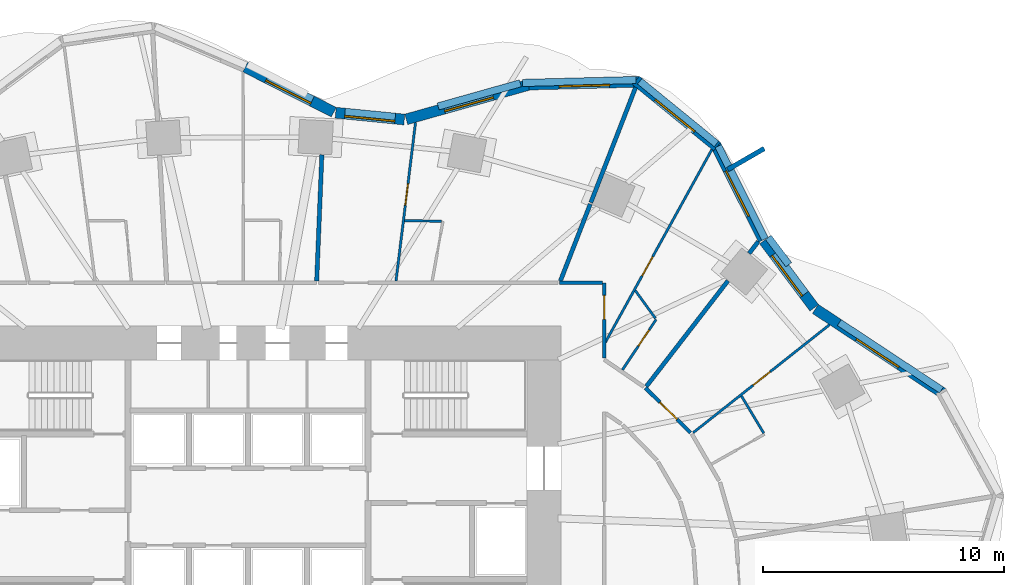
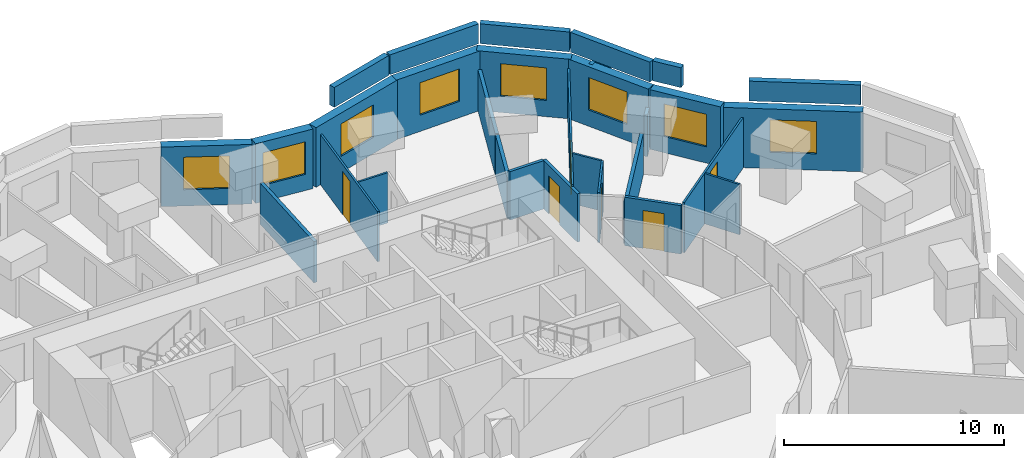
# One storey, part 10 of 12: 30 walls, 8 windows, 6 doors, 14 openings.
"""IFC4 building model written with IfcOpenShell, lengths in metres."""

from ifc_helpers import new_model, si_unit, direction, frame, frame_2d, origin, place, context, subcontext, project, spatial, rectangle, extrude, material, layer, layer_set, type_object, element, fill, save


model = new_model("IFC4")

# Units and contexts
model_context = context("Model", 3, precision=1e-05, world=origin(), true_north=direction((0.0, 1.0)))
body_context = subcontext(model_context, "Body", "Model", "MODEL_VIEW")
ifc_project = project(units=[si_unit("LENGTHUNIT", "METRE"), si_unit("AREAUNIT", "SQUARE_METRE"), si_unit("VOLUMEUNIT", "CUBIC_METRE"), si_unit("PLANEANGLEUNIT", "RADIAN"), si_unit("MASSUNIT", "GRAM", prefix="KILO")], contexts=[model_context])

# Site, building, storey
site_placement = place(None, origin())
site = spatial("IfcSite", under=ifc_project, at=site_placement, CompositionType="ELEMENT")
building_placement = place(site_placement, origin())
building = spatial("IfcBuilding", under=site, at=building_placement, Name="Rubra Terraces Tower", CompositionType="ELEMENT")
storey_placement = place(building_placement, frame((0.0, 0.0, 73.5)))
storey = spatial("IfcBuildingStorey", under=building, at=storey_placement, Name="L16", CompositionType="ELEMENT", Elevation=73.5)

# Walls
ifc_material_1 = material(Name="Twin plasterboard on staggered steel stud, acoustic mineral wool", Category="steel")
ifc_layer_1 = layer(ifc_material_1, 0.175048828125)
ifc_layer_set_1 = layer_set([ifc_layer_1], Name="Twin plasterboard on staggered steel stud, acoustic mineral wool")
wall_type_1 = type_object("IfcWallType", Name="ACOUSTIC PARTY WALL 175 LOW HEAD", PredefinedType="PARTITIONING", material=ifc_layer_set_1)
wall_1_placement = place(storey_placement, frame((3.068603515625, 19.1201171875, 0.0), z_axis=(0.0, 0.0, 1.0), x_axis=(-0.040926396591, -0.999162164046, 0.0)))
element("IfcWall", 1, at=wall_1_placement, inside=storey, type_object=wall_type_1, Name="PARTITION", PredefinedType="PARTITIONING", context=body_context, shape_type="SweptSolid", body=[
    extrude(rectangle(XDim=5.24951171875, YDim=0.175048828125, at=frame_2d((2.624755859375, 0.0))), origin(), (0.0, 0.0, 1.0), 2.280029296875),
])
wall_2_placement = place(storey_placement, frame((21.196533203125, 15.51513671875, 0.0), z_axis=(0.0, 0.0, 1.0), x_axis=(-0.61138040292, -0.791336845424, 0.0)))
element("IfcWall", 2, at=wall_2_placement, inside=storey, type_object=wall_type_1, Name="PARTITION", PredefinedType="PARTITIONING", context=body_context, shape_type="SweptSolid", body=[
    extrude(rectangle(XDim=0.621337890625, YDim=0.175048828125, at=frame_2d((0.310546875, 0.0))), origin(), (0.0, 0.0, 1.0), 2.280029296875),
])
wall_3_placement = place(storey_placement, frame((19.935546875, 13.883056640625, 0.0), z_axis=(0.0, 0.0, 1.0), x_axis=(-0.611383527359, -0.791334431498, 0.0)))
element("IfcWall", 3, at=wall_3_placement, inside=storey, type_object=wall_type_1, Name="PARTITION", PredefinedType="PARTITIONING", context=body_context, shape_type="SweptSolid", body=[
    extrude(rectangle(XDim=5.53955078125, YDim=0.175048828125, at=frame_2d((2.769775390625, 0.0))), origin(), (0.0, 0.0, 1.0), 2.280029296875),
])
wall_4_placement = place(storey_placement, frame((16.102294921875, 21.919921875, 0.0), z_axis=(0.0, 0.0, 1.0), x_axis=(-0.362264987131, -0.932075146702, 0.0)))
element("IfcWall", 4, at=wall_4_placement, inside=storey, type_object=wall_type_1, Name="PARTITION", PredefinedType="PARTITIONING", context=body_context, shape_type="SweptSolid", body=[
    extrude(rectangle(XDim=5.134765625, YDim=0.175048828125, at=frame_2d((2.5673828125, 0.0))), origin(), (0.0, 0.0, 1.0), 2.280029296875),
])
wall_5_placement = place(storey_placement, frame((14.218017578125, 17.071533203125, 0.0), z_axis=(0.0, 0.0, 1.0), x_axis=(-0.362206151364, -0.932098011968, 0.0)))
element("IfcWall", 5, at=wall_5_placement, inside=storey, type_object=wall_type_1, Name="PARTITION", PredefinedType="PARTITIONING", context=body_context, shape_type="SweptSolid", body=[
    extrude(rectangle(XDim=3.434814453125, YDim=0.175048828125, at=frame_2d((1.71728515625, 0.0))), origin(), (0.0, 0.0, 1.0), 2.280029296875),
])

# Wall, opening, window
ifc_material_2 = material(Name="Brick masonry red-brown", Category="masonry")
ifc_layer_2 = layer(ifc_material_2, 0.449951171875)
ifc_layer_set_2 = layer_set([ifc_layer_2], Name="Brick masonry red-brown")
wall_type_2 = type_object("IfcWallType", Name="Brick facade wall 450", PredefinedType="SOLIDWALL", material=ifc_layer_set_2)
wall_6_placement = place(storey_placement, frame((28.85302734375, 9.227294921875, 0.0), z_axis=(0.0, 0.0, 1.0), x_axis=(-0.834404370393, 0.551152743502, 0.0)))
wall_6 = element("IfcWall", 6, at=wall_6_placement, inside=storey, type_object=wall_type_2, Name="Facade wall L16 bay 3", PredefinedType="SOLIDWALL", context=body_context, shape_type="SweptSolid", body=[
    extrude(rectangle(XDim=6.329833984375, YDim=0.449951171875, at=frame_2d((3.1650390625, 0.0))), origin(), (0.0, 0.0, 1.0), 3.300048828125),
])
opening_1_placement = place(wall_6_placement, frame((2.114990234375, 0.0, 0.89990234375)))
opening_1 = element("IfcOpeningElement", 7, at=opening_1_placement, cuts=wall_6, Name="Opening W1Z", PredefinedType="OPENING", context=body_context, shape_type="SweptSolid", body=[
    extrude(rectangle(XDim=2.10009765625, YDim=1.800048828125, at=frame_2d((1.050048828125, 0.89990234375))), frame((0.0, 0.23486328125, 0.0), z_axis=(0.0, -1.0, 0.0), x_axis=(1.0, 0.0, 0.0)), (0.0, 0.0, 1.0), 0.469970703125),
])
ifc_material_3 = material(Name="Clear glass in aluminium frame", Category="aluminium")
window_type = type_object("IfcWindowType", Name="Fixed deep-set window under transfer level 2100 x 1800", PartitioningType="SINGLE_PANEL", PredefinedType="WINDOW", material=ifc_material_3)
window_1_placement = place(opening_1_placement, origin())
window_1 = element("IfcWindow", 8, at=window_1_placement, inside=storey, type_object=window_type, Name="Window L16 bay 3", OverallHeight=1.800048828125, OverallWidth=2.10009765625, PartitioningType="SINGLE_PANEL", PredefinedType="WINDOW", context=body_context, shape_type="SweptSolid", body=[
    extrude(rectangle(XDim=2.10009765625, YDim=1.800048828125, at=frame_2d((1.050048828125, 0.89990234375))), frame((0.0, 0.135009765625, 0.0), z_axis=(0.0, -1.0, 0.0), x_axis=(1.0, 0.0, 0.0)), (0.0, 0.0, 1.0), 0.06005859375),
])
fill(opening_1, window_1)

wall_7_placement = place(storey_placement, frame((23.520263671875, 12.762451171875, 0.0), z_axis=(0.0, 0.0, 1.0), x_axis=(-0.598664281495, 0.801000048728, 0.0)))
wall_7 = element("IfcWall", 9, at=wall_7_placement, inside=storey, type_object=wall_type_2, Name="Facade wall L16 bay 4", PredefinedType="SOLIDWALL", context=body_context, shape_type="SweptSolid", body=[
    extrude(rectangle(XDim=3.482177734375, YDim=0.449951171875, at=frame_2d((1.7412109375, 0.0))), origin(), (0.0, 0.0, 1.0), 3.300048828125),
])
opening_2_placement = place(wall_7_placement, frame((0.691162109375, 0.0, 0.89990234375)))
opening_2 = element("IfcOpeningElement", 10, at=opening_2_placement, cuts=wall_7, Name="Opening W1Z", PredefinedType="OPENING", context=body_context, shape_type="SweptSolid", body=[
    extrude(rectangle(XDim=2.10009765625, YDim=1.800048828125, at=frame_2d((1.050048828125, 0.89990234375))), frame((0.0, 0.23486328125, 0.0), z_axis=(0.0, -1.0, 0.0), x_axis=(1.0, 0.0, 0.0)), (0.0, 0.0, 1.0), 0.469970703125),
])
window_2_placement = place(opening_2_placement, origin())
window_2 = element("IfcWindow", 11, at=window_2_placement, inside=storey, type_object=window_type, Name="Window L16 bay 4", OverallHeight=1.800048828125, OverallWidth=2.10009765625, PartitioningType="SINGLE_PANEL", PredefinedType="WINDOW", context=body_context, shape_type="SweptSolid", body=[
    extrude(rectangle(XDim=2.10009765625, YDim=1.800048828125, at=frame_2d((1.050048828125, 0.89990234375))), frame((0.0, 0.135009765625, 0.0), z_axis=(0.0, -1.0, 0.0), x_axis=(1.0, 0.0, 0.0)), (0.0, 0.0, 1.0), 0.06005859375),
])
fill(opening_2, window_2)

wall_8_placement = place(storey_placement, frame((21.41259765625, 15.586181640625, 0.0), z_axis=(0.0, 0.0, 1.0), x_axis=(-0.449428064685, 0.893316525467, 0.0)))
wall_8 = element("IfcWall", 12, at=wall_8_placement, inside=storey, type_object=wall_type_2, Name="Facade wall L16 bay 5", PredefinedType="SOLIDWALL", context=body_context, shape_type="SweptSolid", body=[
    extrude(rectangle(XDim=4.4072265625, YDim=0.449951171875, at=frame_2d((2.20361328125, 0.0))), origin(), (0.0, 0.0, 1.0), 3.300048828125),
])
opening_3_placement = place(wall_8_placement, frame((1.153564453125, 0.0, 0.89990234375)))
opening_3 = element("IfcOpeningElement", 13, at=opening_3_placement, cuts=wall_8, Name="Opening W1Z", PredefinedType="OPENING", context=body_context, shape_type="SweptSolid", body=[
    extrude(rectangle(XDim=2.10009765625, YDim=1.800048828125, at=frame_2d((1.050048828125, 0.89990234375))), frame((0.0, 0.23486328125, 0.0), z_axis=(0.0, -1.0, 0.0), x_axis=(1.0, 0.0, 0.0)), (0.0, 0.0, 1.0), 0.469970703125),
])
window_3_placement = place(opening_3_placement, origin())
window_3 = element("IfcWindow", 14, at=window_3_placement, inside=storey, type_object=window_type, Name="Window L16 bay 5", OverallHeight=1.800048828125, OverallWidth=2.10009765625, PartitioningType="SINGLE_PANEL", PredefinedType="WINDOW", context=body_context, shape_type="SweptSolid", body=[
    extrude(rectangle(XDim=2.10009765625, YDim=1.800048828125, at=frame_2d((1.050048828125, 0.89990234375))), frame((0.0, 0.135009765625, 0.0), z_axis=(0.0, -1.0, 0.0), x_axis=(1.0, 0.0, 0.0)), (0.0, 0.0, 1.0), 0.06005859375),
])
fill(opening_3, window_3)

wall_9_placement = place(storey_placement, frame((19.48779296875, 19.45556640625, 0.0), z_axis=(0.0, 0.0, 1.0), x_axis=(-0.775096506427, 0.631842864741, 0.0)))
wall_9 = element("IfcWall", 15, at=wall_9_placement, inside=storey, type_object=wall_type_2, Name="Facade wall L16 bay 6", PredefinedType="SOLIDWALL", context=body_context, shape_type="SweptSolid", body=[
    extrude(rectangle(XDim=4.349365234375, YDim=0.449951171875, at=frame_2d((2.1748046875, 0.0))), origin(), (0.0, 0.0, 1.0), 3.300048828125),
])
opening_4_placement = place(wall_9_placement, frame((1.12451171875, 0.0, 0.89990234375)))
opening_4 = element("IfcOpeningElement", 16, at=opening_4_placement, cuts=wall_9, Name="Opening W1Z", PredefinedType="OPENING", context=body_context, shape_type="SweptSolid", body=[
    extrude(rectangle(XDim=2.10009765625, YDim=1.800048828125, at=frame_2d((1.050048828125, 0.89990234375))), frame((0.0, 0.23486328125, 0.0), z_axis=(0.0, -1.0, 0.0), x_axis=(1.0, 0.0, 0.0)), (0.0, 0.0, 1.0), 0.469970703125),
])
window_4_placement = place(opening_4_placement, origin())
window_4 = element("IfcWindow", 17, at=window_4_placement, inside=storey, type_object=window_type, Name="Window L16 bay 6", OverallHeight=1.800048828125, OverallWidth=2.10009765625, PartitioningType="SINGLE_PANEL", PredefinedType="WINDOW", context=body_context, shape_type="SweptSolid", body=[
    extrude(rectangle(XDim=2.10009765625, YDim=1.800048828125, at=frame_2d((1.050048828125, 0.89990234375))), frame((0.0, 0.135009765625, 0.0), z_axis=(0.0, -1.0, 0.0), x_axis=(1.0, 0.0, 0.0)), (0.0, 0.0, 1.0), 0.06005859375),
])
fill(opening_4, window_4)

wall_10_placement = place(storey_placement, frame((16.264892578125, 22.153076171875, 0.0), z_axis=(0.0, 0.0, 1.0), x_axis=(-0.999672618135, -0.025586257081, 0.0)))
wall_10 = element("IfcWall", 18, at=wall_10_placement, inside=storey, type_object=wall_type_2, Name="Facade wall L16 bay 7", PredefinedType="SOLIDWALL", context=body_context, shape_type="SweptSolid", body=[
    extrude(rectangle(XDim=4.589599609375, YDim=0.449951171875, at=frame_2d((2.294921875, 0.0))), origin(), (0.0, 0.0, 1.0), 3.300048828125),
])
opening_5_placement = place(wall_10_placement, frame((1.244873046875, 0.0, 0.89990234375)))
opening_5 = element("IfcOpeningElement", 19, at=opening_5_placement, cuts=wall_10, Name="Opening W1Z", PredefinedType="OPENING", context=body_context, shape_type="SweptSolid", body=[
    extrude(rectangle(XDim=2.10009765625, YDim=1.800048828125, at=frame_2d((1.050048828125, 0.89990234375))), frame((0.0, 0.23486328125, 0.0), z_axis=(0.0, -1.0, 0.0), x_axis=(1.0, 0.0, 0.0)), (0.0, 0.0, 1.0), 0.469970703125),
])
window_5_placement = place(opening_5_placement, origin())
window_5 = element("IfcWindow", 20, at=window_5_placement, inside=storey, type_object=window_type, Name="Window L16 bay 7", OverallHeight=1.800048828125, OverallWidth=2.10009765625, PartitioningType="SINGLE_PANEL", PredefinedType="WINDOW", context=body_context, shape_type="SweptSolid", body=[
    extrude(rectangle(XDim=2.10009765625, YDim=1.800048828125, at=frame_2d((1.050048828125, 0.89990234375))), frame((0.0, 0.135009765625, 0.0), z_axis=(0.0, -1.0, 0.0), x_axis=(1.0, 0.0, 0.0)), (0.0, 0.0, 1.0), 0.06005859375),
])
fill(opening_5, window_5)

wall_11_placement = place(storey_placement, frame((11.73193359375, 22.0439453125, 0.0), z_axis=(0.0, 0.0, 1.0), x_axis=(-0.962535416232, -0.271155992925, 0.0)))
wall_11 = element("IfcWall", 21, at=wall_11_placement, inside=storey, type_object=wall_type_2, Name="Facade wall L16 bay 8", PredefinedType="SOLIDWALL", context=body_context, shape_type="SweptSolid", body=[
    extrude(rectangle(XDim=5.357177734375, YDim=0.449951171875, at=frame_2d((2.6787109375, 0.0))), origin(), (0.0, 0.0, 1.0), 3.300048828125),
])
opening_6_placement = place(wall_11_placement, frame((1.628662109375, 0.0, 0.89990234375)))
opening_6 = element("IfcOpeningElement", 22, at=opening_6_placement, cuts=wall_11, Name="Opening W1Z", PredefinedType="OPENING", context=body_context, shape_type="SweptSolid", body=[
    extrude(rectangle(XDim=2.10009765625, YDim=1.800048828125, at=frame_2d((1.050048828125, 0.89990234375))), frame((0.0, 0.23486328125, 0.0), z_axis=(0.0, -1.0, 0.0), x_axis=(1.0, 0.0, 0.0)), (0.0, 0.0, 1.0), 0.469970703125),
])
window_6_placement = place(opening_6_placement, origin())
window_6 = element("IfcWindow", 23, at=window_6_placement, inside=storey, type_object=window_type, Name="Window L16 bay 8", OverallHeight=1.800048828125, OverallWidth=2.10009765625, PartitioningType="SINGLE_PANEL", PredefinedType="WINDOW", context=body_context, shape_type="SweptSolid", body=[
    extrude(rectangle(XDim=2.10009765625, YDim=1.800048828125, at=frame_2d((1.050048828125, 0.89990234375))), frame((0.0, 0.135009765625, 0.0), z_axis=(0.0, -1.0, 0.0), x_axis=(1.0, 0.0, 0.0)), (0.0, 0.0, 1.0), 0.06005859375),
])
fill(opening_6, window_6)

wall_12_placement = place(storey_placement, frame((6.4921875, 20.583984375, 0.0), z_axis=(0.0, 0.0, 1.0), x_axis=(-0.995123748575, 0.098634299418, 0.0)))
wall_12 = element("IfcWall", 24, at=wall_12_placement, inside=storey, type_object=wall_type_2, Name="Facade wall L16 bay 9", PredefinedType="SOLIDWALL", context=body_context, shape_type="SweptSolid", body=[
    extrude(rectangle(XDim=2.86376953125, YDim=0.449951171875, at=frame_2d((1.431884765625, 0.0))), origin(), (0.0, 0.0, 1.0), 3.300048828125),
])
opening_7_placement = place(wall_12_placement, frame((0.3818359375, 0.0, 0.89990234375)))
opening_7 = element("IfcOpeningElement", 25, at=opening_7_placement, cuts=wall_12, Name="Opening W1Z", PredefinedType="OPENING", context=body_context, shape_type="SweptSolid", body=[
    extrude(rectangle(XDim=2.10009765625, YDim=1.800048828125, at=frame_2d((1.050048828125, 0.89990234375))), frame((0.0, 0.23486328125, 0.0), z_axis=(0.0, -1.0, 0.0), x_axis=(1.0, 0.0, 0.0)), (0.0, 0.0, 1.0), 0.469970703125),
])
window_7_placement = place(opening_7_placement, origin())
window_7 = element("IfcWindow", 26, at=window_7_placement, inside=storey, type_object=window_type, Name="Window L16 bay 9", OverallHeight=1.800048828125, OverallWidth=2.10009765625, PartitioningType="SINGLE_PANEL", PredefinedType="WINDOW", context=body_context, shape_type="SweptSolid", body=[
    extrude(rectangle(XDim=2.10009765625, YDim=1.800048828125, at=frame_2d((1.050048828125, 0.89990234375))), frame((0.0, 0.135009765625, 0.0), z_axis=(0.0, -1.0, 0.0), x_axis=(1.0, 0.0, 0.0)), (0.0, 0.0, 1.0), 0.06005859375),
])
fill(opening_7, window_7)

wall_13_placement = place(storey_placement, frame((3.564208984375, 20.888916015625, 0.0), z_axis=(0.0, 0.0, 1.0), x_axis=(-0.891033634447, 0.453937288933, 0.0)))
wall_13 = element("IfcWall", 27, at=wall_13_placement, inside=storey, type_object=wall_type_2, Name="Facade wall L16 bay 10", PredefinedType="SOLIDWALL", context=body_context, shape_type="SweptSolid", body=[
    extrude(rectangle(XDim=4.131591796875, YDim=0.449951171875, at=frame_2d((2.06591796875, 0.0))), origin(), (0.0, 0.0, 1.0), 3.300048828125),
])
opening_8_placement = place(wall_13_placement, frame((1.015869140625, 0.0, 0.89990234375)))
opening_8 = element("IfcOpeningElement", 28, at=opening_8_placement, cuts=wall_13, Name="Opening W1Z", PredefinedType="OPENING", context=body_context, shape_type="SweptSolid", body=[
    extrude(rectangle(XDim=2.10009765625, YDim=1.800048828125, at=frame_2d((1.050048828125, 0.89990234375))), frame((0.0, 0.23486328125, 0.0), z_axis=(0.0, -1.0, 0.0), x_axis=(1.0, 0.0, 0.0)), (0.0, 0.0, 1.0), 0.469970703125),
])
window_8_placement = place(opening_8_placement, origin())
window_8 = element("IfcWindow", 29, at=window_8_placement, inside=storey, type_object=window_type, Name="Window L16 bay 10", OverallHeight=1.800048828125, OverallWidth=2.10009765625, PartitioningType="SINGLE_PANEL", PredefinedType="WINDOW", context=body_context, shape_type="SweptSolid", body=[
    extrude(rectangle(XDim=2.10009765625, YDim=1.800048828125, at=frame_2d((1.050048828125, 0.89990234375))), frame((0.0, 0.135009765625, 0.0), z_axis=(0.0, -1.0, 0.0), x_axis=(1.0, 0.0, 0.0)), (0.0, 0.0, 1.0), 0.06005859375),
])
fill(opening_8, window_8)

# Walls
ifc_layer_3 = layer(ifc_material_2, 0.300048828125)
ifc_layer_set_3 = layer_set([ifc_layer_3], Name="Brick masonry red-brown")
wall_type_3 = type_object("IfcWallType", Name="Brick parapet 300", PredefinedType="PARAPET", material=ifc_layer_set_3)
wall_14_placement = place(storey_placement, frame((28.80712890625, 9.347412109375, 3.60009765625), z_axis=(0.0, 0.0, 1.0), x_axis=(-0.834390896723, 0.551173141097, 0.0)))
element("IfcWall", 30, at=wall_14_placement, inside=storey, type_object=wall_type_3, Name="Parapet L16 bay 3", PredefinedType="PARAPET", context=body_context, shape_type="SweptSolid", body=[
    extrude(rectangle(XDim=5.0869140625, YDim=0.300048828125, at=frame_2d((2.54345703125, 0.0))), origin(), (0.0, 0.0, 1.0), 1.099853515625),
])
wall_15_placement = place(storey_placement, frame((22.46142578125, 14.5546875, 3.60009765625), z_axis=(0.0, 0.0, 1.0), x_axis=(-0.598672247422, 0.800994094964, 0.0)))
element("IfcWall", 31, at=wall_15_placement, inside=storey, type_object=wall_type_3, Name="Parapet L16 bay 4", PredefinedType="PARAPET", context=body_context, shape_type="SweptSolid", body=[
    extrude(rectangle(XDim=1.4130859375, YDim=0.300048828125, at=frame_2d((0.70654296875, 0.0))), origin(), (0.0, 0.0, 1.0), 1.099853515625),
])
wall_16_placement = place(storey_placement, frame((21.478515625, 15.621826171875, 3.60009765625), z_axis=(0.0, 0.0, 1.0), x_axis=(-0.44940640722, 0.893327421022, 0.0)))
element("IfcWall", 32, at=wall_16_placement, inside=storey, type_object=wall_type_3, Name="Parapet L16 bay 5", PredefinedType="PARAPET", context=body_context, shape_type="SweptSolid", body=[
    extrude(rectangle(XDim=4.317138671875, YDim=0.300048828125, at=frame_2d((2.15869140625, 0.0))), origin(), (0.0, 0.0, 1.0), 1.099853515625),
])
wall_17_placement = place(storey_placement, frame((19.46240234375, 19.572998046875, 3.60009765625), z_axis=(0.0, 0.0, 1.0), x_axis=(-0.775069211455, 0.631876346649, 0.0)))
element("IfcWall", 33, at=wall_17_placement, inside=storey, type_object=wall_type_3, Name="Parapet L16 bay 6", PredefinedType="PARAPET", context=body_context, shape_type="SweptSolid", body=[
    extrude(rectangle(XDim=4.114013671875, YDim=0.300048828125, at=frame_2d((2.05712890625, 0.0))), origin(), (0.0, 0.0, 1.0), 1.099853515625),
])
wall_18_placement = place(storey_placement, frame((16.121826171875, 22.224365234375, 3.60009765625), z_axis=(0.0, 0.0, 1.0), x_axis=(-0.999672688687, -0.025583500399, 0.0)))
element("IfcWall", 34, at=wall_18_placement, inside=storey, type_object=wall_type_3, Name="Parapet L16 bay 7", PredefinedType="PARAPET", context=body_context, shape_type="SweptSolid", body=[
    extrude(rectangle(XDim=4.714111328125, YDim=0.300048828125, at=frame_2d((2.35693359375, 0.0))), origin(), (0.0, 0.0, 1.0), 1.099853515625),
])
wall_19_placement = place(storey_placement, frame((11.313720703125, 22.08935546875, 3.60009765625), z_axis=(0.0, 0.0, 1.0), x_axis=(-0.962527541074, -0.271183946195, 0.0)))
element("IfcWall", 35, at=wall_19_placement, inside=storey, type_object=wall_type_3, Name="Parapet L16 bay 8", PredefinedType="PARAPET", context=body_context, shape_type="SweptSolid", body=[
    extrude(rectangle(XDim=3.548095703125, YDim=0.300048828125, at=frame_2d((1.77392578125, 0.0))), origin(), (0.0, 0.0, 1.0), 1.099853515625),
])
ifc_layer_4 = layer(ifc_material_2, 0.199951171875)
ifc_layer_set_4 = layer_set([ifc_layer_4], Name="Brick masonry red-brown")
wall_type_4 = type_object("IfcWallType", Name="Brick wind fin 200", PredefinedType="SOLIDWALL", material=ifc_layer_set_4)
wall_20_placement = place(storey_placement, frame((19.927978515625, 18.50390625, 0.0), z_axis=(0.0, 0.0, 1.0), x_axis=(0.865881186914, 0.500249707794, 0.0)))
element("IfcWall", 36, at=wall_20_placement, inside=storey, type_object=wall_type_4, Name="Wind fin L16 3", PredefinedType="SOLIDWALL", context=body_context, shape_type="SweptSolid", body=[
    extrude(rectangle(XDim=1.75, YDim=0.199951171875, at=frame_2d((0.875, 0.0))), origin(), (0.0, 0.0, 1.0), 3.300048828125),
])

# Wall, opening, door
ifc_material_4 = material(Name="Plasterboard on steel stud, mineral wool infill", Category="steel")
ifc_layer_5 = layer(ifc_material_4, 0.14990234375)
ifc_layer_set_5 = layer_set([ifc_layer_5], Name="Plasterboard on steel stud, mineral wool infill")
wall_type_5 = type_object("IfcWallType", Name="CORRIDOR PARTITION 150", PredefinedType="PARTITIONING", material=ifc_layer_set_5)
wall_21_placement = place(storey_placement, frame((18.386962890625, 7.57177734375, 0.0), z_axis=(0.0, 0.0, 1.0), x_axis=(-0.710044986999, 0.704156315343, 0.0)))
wall_21 = element("IfcWall", 37, at=wall_21_placement, inside=storey, type_object=wall_type_5, Name="PARTITION", PredefinedType="PARTITIONING", context=body_context, shape_type="SweptSolid", body=[
    extrude(rectangle(XDim=2.6533203125, YDim=0.14990234375, at=frame_2d((1.32666015625, 0.0))), origin(), (0.0, 0.0, 1.0), 2.68408203125),
])
opening_9_placement = place(wall_21_placement, frame((0.797119140625, 0.0, 0.0)))
opening_9 = element("IfcOpeningElement", 38, at=opening_9_placement, cuts=wall_21, Name="Opening 16-133", PredefinedType="OPENING", context=body_context, shape_type="SweptSolid", body=[
    extrude(rectangle(XDim=1.0, YDim=2.10009765625, at=frame_2d((0.5, 1.050048828125))), frame((0.0, 0.0849609375, 0.0), z_axis=(0.0, -1.0, 0.0), x_axis=(1.0, 0.0, 0.0)), (0.0, 0.0, 1.0), 0.169921875),
])
ifc_material_5 = material(Name="Painted timber door leaf", Category="wood")
door_type_1 = type_object("IfcDoorType", Name="ROOM DOOR 1000 X 2100", OperationType="SINGLE_SWING_LEFT", PredefinedType="DOOR", material=ifc_material_5)
door_1_placement = place(opening_9_placement, origin())
door_1 = element("IfcDoor", 39, at=door_1_placement, inside=storey, type_object=door_type_1, Name="DOOR 16-133", OperationType="SINGLE_SWING_RIGHT", OverallHeight=2.10009765625, OverallWidth=1.0, PredefinedType="DOOR", context=body_context, shape_type="SweptSolid", body=[
    extrude(rectangle(XDim=1.0, YDim=2.10009765625, at=frame_2d((0.5, 1.050048828125))), frame((0.0, 0.02490234375, 0.0), z_axis=(0.0, -1.0, 0.0), x_axis=(1.0, 0.0, 0.0)), (0.0, 0.0, 1.0), 0.050048828125),
])
fill(opening_9, door_1)

wall_22_placement = place(storey_placement, frame((14.800048828125, 10.6826171875, 0.0), z_axis=(0.0, 0.0, 1.0), x_axis=(0.0, 1.0, 0.0)))
wall_22 = element("IfcWall", 40, at=wall_22_placement, inside=storey, type_object=wall_type_5, Name="PARTITION", PredefinedType="PARTITIONING", context=body_context, shape_type="SweptSolid", body=[
    extrude(rectangle(XDim=3.117431640625, YDim=0.14990234375, at=frame_2d((1.55859375, 0.0))), origin(), (0.0, 0.0, 1.0), 2.68408203125),
])
opening_10_placement = place(wall_22_placement, frame((1.60009765625, 0.0, 0.0)))
opening_10 = element("IfcOpeningElement", 41, at=opening_10_placement, cuts=wall_22, Name="Opening 16-136", PredefinedType="OPENING", context=body_context, shape_type="SweptSolid", body=[
    extrude(rectangle(XDim=1.0, YDim=2.10009765625, at=frame_2d((0.5, 1.050048828125))), frame((0.0, 0.0849609375, 0.0), z_axis=(0.0, -1.0, 0.0), x_axis=(1.0, 0.0, 0.0)), (0.0, 0.0, 1.0), 0.169921875),
])
door_2_placement = place(opening_10_placement, origin())
door_2 = element("IfcDoor", 42, at=door_2_placement, inside=storey, type_object=door_type_1, Name="DOOR 16-136", OperationType="SINGLE_SWING_RIGHT", OverallHeight=2.10009765625, OverallWidth=1.0, PredefinedType="DOOR", context=body_context, shape_type="SweptSolid", body=[
    extrude(rectangle(XDim=1.0, YDim=2.10009765625, at=frame_2d((0.5, 1.050048828125))), frame((0.0, 0.02490234375, 0.0), z_axis=(0.0, -1.0, 0.0), x_axis=(1.0, 0.0, 0.0)), (0.0, 0.0, 1.0), 0.050048828125),
])
fill(opening_10, door_2)

# Wall
wall_23_placement = place(storey_placement, frame((14.72509765625, 13.800048828125, 0.0), z_axis=(0.0, 0.0, 1.0), x_axis=(-1.0, 0.0, 0.0)))
element("IfcWall", 43, at=wall_23_placement, inside=storey, type_object=wall_type_5, Name="PARTITION", PredefinedType="PARTITIONING", context=body_context, shape_type="SweptSolid", body=[
    extrude(rectangle(XDim=1.778564453125, YDim=0.14990234375, at=frame_2d((0.88916015625, 0.0))), origin(), (0.0, 0.0, 1.0), 2.68408203125),
])

# Wall, opening, door
ifc_material_6 = material(Name="Plasterboard on steel stud", Category="steel")
ifc_layer_6 = layer(ifc_material_6, 0.10009765625)
ifc_layer_set_6 = layer_set([ifc_layer_6], Name="Plasterboard on steel stud")
wall_type_6 = type_object("IfcWallType", Name="ROOM PARTITION 100", PredefinedType="PARTITIONING", material=ifc_layer_set_6)
wall_24_placement = place(storey_placement, frame((24.156982421875, 12.0595703125, 0.0), z_axis=(0.0, 0.0, 1.0), x_axis=(-0.784016366574, -0.620740152515, 0.0)))
wall_24 = element("IfcWall", 44, at=wall_24_placement, inside=storey, type_object=wall_type_6, Name="PARTITION", PredefinedType="PARTITIONING", context=body_context, shape_type="SweptSolid", body=[
    extrude(rectangle(XDim=7.2265625, YDim=0.10009765625, at=frame_2d((3.61328125, 0.0))), origin(), (0.0, 0.0, 1.0), 2.783935546875),
])
opening_11_placement = place(wall_24_placement, frame((3.152099609375, 0.0, 0.0)))
opening_11 = element("IfcOpeningElement", 45, at=opening_11_placement, cuts=wall_24, Name="Opening 16-132", PredefinedType="OPENING", context=body_context, shape_type="SweptSolid", body=[
    extrude(rectangle(XDim=0.89990234375, YDim=2.39990234375, at=frame_2d((0.449951171875, 1.199951171875))), frame((0.0, 0.06005859375, 0.0), z_axis=(0.0, -1.0, 0.0), x_axis=(1.0, 0.0, 0.0)), (0.0, 0.0, 1.0), 0.1201171875),
])
ifc_material_7 = material(Name="Veneered timber door leaf, fire-rated", Category="wood")
door_type_2 = type_object("IfcDoorType", Name="SUITE ENTRANCE DOOR 900 X 2400", OperationType="SINGLE_SWING_LEFT", PredefinedType="DOOR", material=ifc_material_7)
door_3_placement = place(opening_11_placement, origin())
door_3 = element("IfcDoor", 46, at=door_3_placement, inside=storey, type_object=door_type_2, Name="DOOR 16-132", OperationType="SINGLE_SWING_LEFT", OverallHeight=2.39990234375, OverallWidth=0.89990234375, PredefinedType="DOOR", context=body_context, shape_type="SweptSolid", body=[
    extrude(rectangle(XDim=0.89990234375, YDim=2.39990234375, at=frame_2d((0.449951171875, 1.199951171875))), frame((0.0, 0.02490234375, 0.0), z_axis=(0.0, -1.0, 0.0), x_axis=(1.0, 0.0, 0.0)), (0.0, 0.0, 1.0), 0.050048828125),
])
fill(opening_11, door_3)

# Wall
wall_25_placement = place(storey_placement, frame((21.426513671875, 7.552734375, 0.0), z_axis=(0.0, 0.0, 1.0), x_axis=(-0.515590167939, 0.856835327659, 0.0)))
element("IfcWall", 47, at=wall_25_placement, inside=storey, type_object=wall_type_6, Name="PARTITION", PredefinedType="PARTITIONING", context=body_context, shape_type="SweptSolid", body=[
    extrude(rectangle(XDim=1.8037109375, YDim=0.10009765625, at=frame_2d((0.90185546875, 0.0))), origin(), (0.0, 0.0, 1.0), 2.783935546875),
])

# Wall, opening, door
wall_26_placement = place(storey_placement, frame((19.269287109375, 19.337158203125, 0.0), z_axis=(0.0, 0.0, 1.0), x_axis=(-0.483534175025, -0.875325483225, 0.0)))
wall_26 = element("IfcWall", 48, at=wall_26_placement, inside=storey, type_object=wall_type_6, Name="PARTITION", PredefinedType="PARTITIONING", context=body_context, shape_type="SweptSolid", body=[
    extrude(rectangle(XDim=9.167724609375, YDim=0.10009765625, at=frame_2d((4.583984375, 0.0))), origin(), (0.0, 0.0, 1.0), 2.783935546875),
])
opening_12_placement = place(wall_26_placement, frame((5.093017578125, 0.0, 0.0)))
opening_12 = element("IfcOpeningElement", 49, at=opening_12_placement, cuts=wall_26, Name="Opening 16-135", PredefinedType="OPENING", context=body_context, shape_type="SweptSolid", body=[
    extrude(rectangle(XDim=0.89990234375, YDim=2.39990234375, at=frame_2d((0.449951171875, 1.199951171875))), frame((0.0, 0.06005859375, 0.0), z_axis=(0.0, -1.0, 0.0), x_axis=(1.0, 0.0, 0.0)), (0.0, 0.0, 1.0), 0.1201171875),
])
door_4_placement = place(opening_12_placement, origin())
door_4 = element("IfcDoor", 50, at=door_4_placement, inside=storey, type_object=door_type_2, Name="DOOR 16-135", OperationType="SINGLE_SWING_LEFT", OverallHeight=2.39990234375, OverallWidth=0.89990234375, PredefinedType="DOOR", context=body_context, shape_type="SweptSolid", body=[
    extrude(rectangle(XDim=0.89990234375, YDim=2.39990234375, at=frame_2d((0.449951171875, 1.199951171875))), frame((0.0, 0.02490234375, 0.0), z_axis=(0.0, -1.0, 0.0), x_axis=(1.0, 0.0, 0.0)), (0.0, 0.0, 1.0), 0.050048828125),
])
fill(opening_12, door_4)

wall_27_placement = place(storey_placement, frame((15.5517578125, 10.18310546875, 0.0), z_axis=(0.0, 0.0, 1.0), x_axis=(0.556060542822, 0.831141788576, 0.0)))
wall_27 = element("IfcWall", 51, at=wall_27_placement, inside=storey, type_object=wall_type_6, Name="PARTITION", PredefinedType="PARTITIONING", context=body_context, shape_type="SweptSolid", body=[
    extrude(rectangle(XDim=2.52490234375, YDim=0.10009765625, at=frame_2d((1.262451171875, 0.0))), origin(), (0.0, 0.0, 1.0), 2.783935546875),
])
opening_13_placement = place(wall_27_placement, frame((1.199951171875, 0.0, 0.0)))
opening_13 = element("IfcOpeningElement", 52, at=opening_13_placement, cuts=wall_27, Name="Opening 16-134", PredefinedType="OPENING", context=body_context, shape_type="SweptSolid", body=[
    extrude(rectangle(XDim=0.800048828125, YDim=2.10009765625, at=frame_2d((0.39990234375, 1.050048828125))), frame((0.0, 0.06005859375, 0.0), z_axis=(0.0, -1.0, 0.0), x_axis=(1.0, 0.0, 0.0)), (0.0, 0.0, 1.0), 0.1201171875),
])
door_type_3 = type_object("IfcDoorType", Name="BATHROOM DOOR 800 X 2100", OperationType="SINGLE_SWING_LEFT", PredefinedType="DOOR", material=ifc_material_5)
door_5_placement = place(opening_13_placement, origin())
door_5 = element("IfcDoor", 53, at=door_5_placement, inside=storey, type_object=door_type_3, Name="DOOR 16-134", OperationType="SINGLE_SWING_LEFT", OverallHeight=2.10009765625, OverallWidth=0.800048828125, PredefinedType="DOOR", context=body_context, shape_type="SweptSolid", body=[
    extrude(rectangle(XDim=0.800048828125, YDim=2.10009765625, at=frame_2d((0.39990234375, 1.050048828125))), frame((0.0, 0.02490234375, 0.0), z_axis=(0.0, -1.0, 0.0), x_axis=(1.0, 0.0, 0.0)), (0.0, 0.0, 1.0), 0.050048828125),
])
fill(opening_13, door_5)

# Wall
wall_28_placement = place(storey_placement, frame((16.926513671875, 12.322265625, 0.0), z_axis=(0.0, 0.0, 1.0), x_axis=(-0.586467389646, 0.809972839595, 0.0)))
element("IfcWall", 54, at=wall_28_placement, inside=storey, type_object=wall_type_6, Name="PARTITION", PredefinedType="PARTITIONING", context=body_context, shape_type="SweptSolid", body=[
    extrude(rectangle(XDim=1.43212890625, YDim=0.10009765625, at=frame_2d((0.716064453125, 0.0))), origin(), (0.0, 0.0, 1.0), 2.783935546875),
])

# Wall, opening, door
wall_29_placement = place(storey_placement, frame((6.959716796875, 20.461669921875, 0.0), z_axis=(0.0, 0.0, 1.0), x_axis=(-0.12234585507, -0.99248752725, 0.0)))
wall_29 = element("IfcWall", 55, at=wall_29_placement, inside=storey, type_object=wall_type_6, Name="PARTITION", PredefinedType="PARTITIONING", context=body_context, shape_type="SweptSolid", body=[
    extrude(rectangle(XDim=6.636962890625, YDim=0.10009765625, at=frame_2d((3.318359375, 0.0))), origin(), (0.0, 0.0, 1.0), 2.783935546875),
])
opening_14_placement = place(wall_29_placement, frame((2.56201171875, 0.0, 0.0)))
opening_14 = element("IfcOpeningElement", 56, at=opening_14_placement, cuts=wall_29, Name="Opening 16-138", PredefinedType="OPENING", context=body_context, shape_type="SweptSolid", body=[
    extrude(rectangle(XDim=0.89990234375, YDim=2.39990234375, at=frame_2d((0.449951171875, 1.199951171875))), frame((0.0, 0.06005859375, 0.0), z_axis=(0.0, -1.0, 0.0), x_axis=(1.0, 0.0, 0.0)), (0.0, 0.0, 1.0), 0.1201171875),
])
door_6_placement = place(opening_14_placement, origin())
door_6 = element("IfcDoor", 57, at=door_6_placement, inside=storey, type_object=door_type_2, Name="DOOR 16-138", OperationType="SINGLE_SWING_LEFT", OverallHeight=2.39990234375, OverallWidth=0.89990234375, PredefinedType="DOOR", context=body_context, shape_type="SweptSolid", body=[
    extrude(rectangle(XDim=0.89990234375, YDim=2.39990234375, at=frame_2d((0.449951171875, 1.199951171875))), frame((0.0, 0.02490234375, 0.0), z_axis=(0.0, -1.0, 0.0), x_axis=(1.0, 0.0, 0.0)), (0.0, 0.0, 1.0), 0.050048828125),
])
fill(opening_14, door_6)

# Wall
wall_30_placement = place(storey_placement, frame((8.04638671875, 16.360107421875, 0.0), z_axis=(0.0, 0.0, 1.0), x_axis=(-0.999917540507, 0.012841813981, 0.0)))
element("IfcWall", 58, at=wall_30_placement, inside=storey, type_object=wall_type_6, Name="PARTITION", PredefinedType="PARTITIONING", context=body_context, shape_type="SweptSolid", body=[
    extrude(rectangle(XDim=1.5400390625, YDim=0.10009765625, at=frame_2d((0.77001953125, 0.0))), origin(), (0.0, 0.0, 1.0), 2.783935546875),
])

save(model, "model.ifc")
